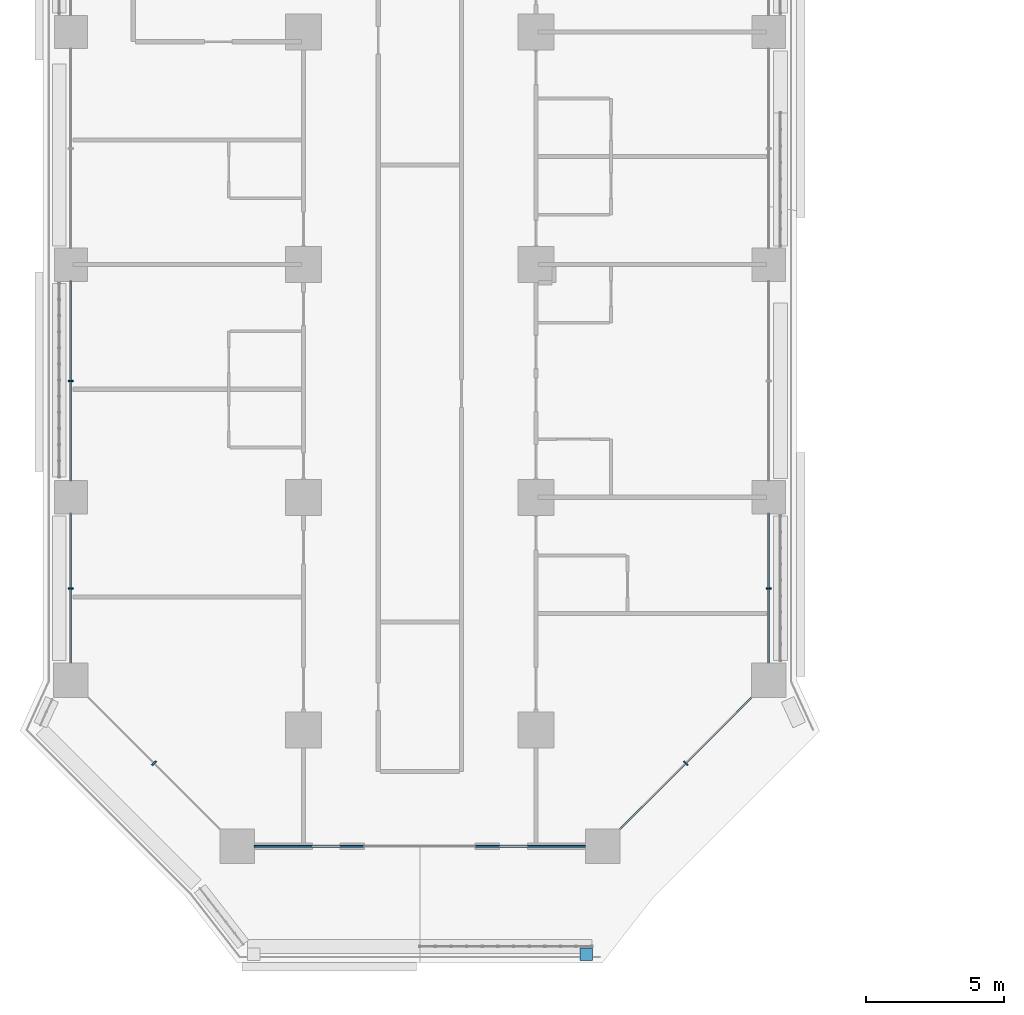
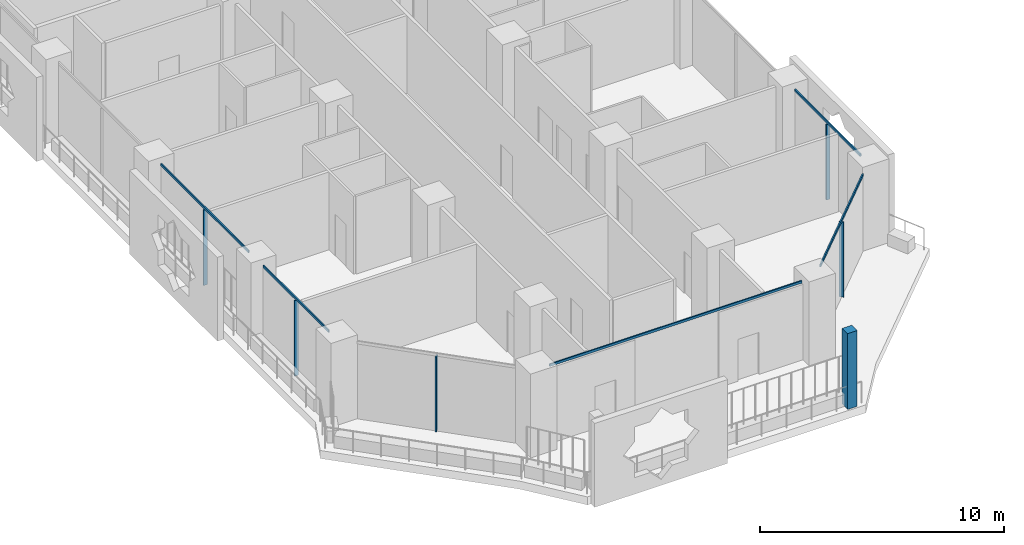
# One storey, part 2 of 27: 11 members, 6 elements without a shape of their own.
"""IFC4 building model written with IfcOpenShell, lengths in metres."""

from ifc_helpers import new_model, si_unit, direction, frame, origin, origin_2d, place, context, subcontext, project, spatial, rectangle, extrude, material, layer, layer_set, material_profile, profile_set, type_object, element, aggregate, save


model = new_model("IFC4")

# Units and contexts
model_context = context("Model", 3, precision=1e-05, world=origin(), true_north=direction((0.0, 1.0)))
body_context = subcontext(model_context, "Body", "Model", "MODEL_VIEW")
ifc_project = project(units=[si_unit("LENGTHUNIT", "METRE"), si_unit("AREAUNIT", "SQUARE_METRE"), si_unit("VOLUMEUNIT", "CUBIC_METRE"), si_unit("PLANEANGLEUNIT", "RADIAN"), si_unit("MASSUNIT", "GRAM", prefix="KILO")], contexts=[model_context])

# Site, building, storey
site_placement = place(None, origin())
site = spatial("IfcSite", under=ifc_project, at=site_placement, CompositionType="ELEMENT")
building_placement = place(site_placement, origin())
building = spatial("IfcBuilding", under=site, at=building_placement, Name="Kawkab Arch Medical Tower", CompositionType="ELEMENT")
storey_placement = place(building_placement, frame((0.0, 0.0, 85.39990234375)))
storey = spatial("IfcBuildingStorey", under=building, at=storey_placement, Name="L19", CompositionType="ELEMENT", Elevation=85.39990234375)

# Curtain wall, members
ifc_material_1 = material(Name="Bronze anodised aluminium curtain wall frame", Category="aluminium")
ifc_layer_1 = layer(ifc_material_1, 0.159912109375)
ifc_layer_set_1 = layer_set([ifc_layer_1], Name="Bronze anodised aluminium curtain wall frame")
curtain_wall_type_1 = type_object("IfcCurtainWallType", Name="CW1 ward curtain wall", PredefinedType="NOTDEFINED", material=ifc_layer_set_1)
placement = place(storey_placement, origin())
curtain_wall_1 = element("IfcCurtainWall", 1, at=placement, inside=storey, type_object=curtain_wall_type_1, Name="CW1 Ward curtain wall R01", PredefinedType="NOTDEFINED")
ifc_material_2 = material(Name="Bronze anodised aluminium curtain wall frame", Category="aluminium")
ifc_material_profile_1 = material_profile(ifc_material_2, rectangle(XDim=0.179931640625, YDim=0.06005859375, at=origin_2d()), Name="AL 60x180")
ifc_profile_set_1 = profile_set([ifc_material_profile_1], Name="Bronze anodised aluminium curtain wall frame")
member_type_1 = type_object("IfcMemberType", Name="CW1 mullion 60 x 180", PredefinedType="MULLION", material=ifc_profile_set_1)
member_1_placement = place(storey_placement, frame((0.0, -54.60009765625, 0.0), z_axis=(0.0, 0.0, 1.0), x_axis=(1.0, 0.0, 0.0)))
member_1 = element("IfcMember", 2, at=member_1_placement, type_object=member_type_1, Name="CW1 mullion 6.1", PredefinedType="MULLION", context=body_context, shape_type="SweptSolid", body=[
    extrude(rectangle(XDim=0.179931640625, YDim=0.06005859375, at=origin_2d()), origin(), (0.0, 0.0, 1.0), 3.780029296875),
])
member_2_placement = place(storey_placement, frame((0.0, -62.08740234375, 0.0), z_axis=(0.0, 0.0, 1.0), x_axis=(1.0, 0.0, 0.0)))
member_2 = element("IfcMember", 3, at=member_2_placement, type_object=member_type_1, Name="CW1 mullion 7.1", PredefinedType="MULLION", context=body_context, shape_type="SweptSolid", body=[
    extrude(rectangle(XDim=0.179931640625, YDim=0.06005859375, at=origin_2d()), origin(), (0.0, 0.0, 1.0), 3.780029296875),
])

# Curtain wall, member
curtain_wall_2 = element("IfcCurtainWall", 4, at=placement, inside=storey, type_object=curtain_wall_type_1, Name="CW1 Ward curtain wall R05", PredefinedType="NOTDEFINED")
member_3_placement = place(storey_placement, frame((25.199951171875, -62.08740234375, 0.0), z_axis=(0.0, 0.0, 1.0), x_axis=(-1.0, 0.0, 0.0)))
member_3 = element("IfcMember", 5, at=member_3_placement, type_object=member_type_1, Name="CW1 mullion 1.1", PredefinedType="MULLION", context=body_context, shape_type="SweptSolid", body=[
    extrude(rectangle(XDim=0.179931640625, YDim=0.06005859375, at=origin_2d()), origin(), (0.0, 0.0, 1.0), 3.780029296875),
])

# Member
ifc_material_3 = material(Name="Bronze anodised aluminium curtain wall frame", Category="aluminium")
ifc_material_profile_2 = material_profile(ifc_material_3, rectangle(XDim=0.06005859375, YDim=0.1201171875, at=origin_2d()), Name="AL 60x120")
ifc_profile_set_2 = profile_set([ifc_material_profile_2], Name="Bronze anodised aluminium curtain wall frame")
member_type_2 = type_object("IfcMemberType", Name="CW1 transom 120 x 60", PredefinedType="USERDEFINED", material=ifc_profile_set_2)
member_4_placement = place(storey_placement, frame((0.0, -51.0, 3.840087890625), z_axis=(0.0, -1.0, 0.0), x_axis=(1.0, 0.0, 0.0)))
member_4 = element("IfcMember", 6, at=member_4_placement, type_object=member_type_2, Name="CW1 transom 6", ObjectType="TRANSOM", PredefinedType="USERDEFINED", context=body_context, shape_type="SweptSolid", body=[
    extrude(rectangle(XDim=0.06005859375, YDim=0.1201171875, at=origin_2d()), origin(), (0.0, 0.0, 1.0), 7.199951171875),
])

member_5_placement = place(storey_placement, frame((0.0, -59.39990234375, 3.840087890625), z_axis=(0.0, -1.0, 0.0), x_axis=(1.0, 0.0, 0.0)))
member_5 = element("IfcMember", 7, at=member_5_placement, type_object=member_type_2, Name="CW1 transom 7", ObjectType="TRANSOM", PredefinedType="USERDEFINED", context=body_context, shape_type="SweptSolid", body=[
    extrude(rectangle(XDim=0.06005859375, YDim=0.1201171875, at=origin_2d()), origin(), (0.0, 0.0, 1.0), 5.375),
])

aggregate(curtain_wall_1, [member_4, member_1, member_5, member_2])

# Curtain wall, member
curtain_wall_3 = element("IfcCurtainWall", 8, at=placement, inside=storey, type_object=curtain_wall_type_1, Name="CW1 Ward curtain wall R03", PredefinedType="NOTDEFINED")
member_6_placement = place(storey_placement, frame((6.625, -71.39990234375, 3.840087890625), z_axis=(1.0, 0.0, 0.0), x_axis=(0.0, 1.0, 0.0)))
member_6 = element("IfcMember", 9, at=member_6_placement, type_object=member_type_2, Name="CW1 transom 1", ObjectType="TRANSOM", PredefinedType="USERDEFINED", context=body_context, shape_type="SweptSolid", body=[
    extrude(rectangle(XDim=0.06005859375, YDim=0.1201171875, at=origin_2d()), origin(), (0.0, 0.0, 1.0), 11.949951171875),
])
aggregate(curtain_wall_3, [member_6])

# Member
member_7_placement = place(storey_placement, frame((25.199951171875, -64.77490234375, 3.840087890625), z_axis=(0.0, 1.0, 0.0), x_axis=(-1.0, 0.0, 0.0)))
member_7 = element("IfcMember", 10, at=member_7_placement, type_object=member_type_2, Name="CW1 transom 1", ObjectType="TRANSOM", PredefinedType="USERDEFINED", context=body_context, shape_type="SweptSolid", body=[
    extrude(rectangle(XDim=0.06005859375, YDim=0.1201171875, at=origin_2d()), origin(), (0.0, 0.0, 1.0), 5.375),
])

aggregate(curtain_wall_2, [member_7, member_3])

# Curtain wall, member
ifc_material_4 = material(Name="Bronze anodised aluminium curtain wall frame", Category="aluminium")
ifc_layer_2 = layer(ifc_material_4, 0.159912109375)
ifc_layer_set_2 = layer_set([ifc_layer_2], Name="Bronze anodised aluminium curtain wall frame")
curtain_wall_type_2 = type_object("IfcCurtainWallType", Name="CW2 chamfer curtain wall", PredefinedType="NOTDEFINED", material=ifc_layer_set_2)
curtain_wall_4 = element("IfcCurtainWall", 11, at=placement, inside=storey, type_object=curtain_wall_type_2, Name="CW2 Chamfer curtain wall R02", PredefinedType="NOTDEFINED")
ifc_material_5 = material(Name="Bronze anodised aluminium curtain wall frame", Category="aluminium")
ifc_material_profile_3 = material_profile(ifc_material_5, rectangle(XDim=0.199951171875, YDim=0.06005859375, at=origin_2d()), Name="AL 60x200")
ifc_profile_set_3 = profile_set([ifc_material_profile_3], Name="Bronze anodised aluminium curtain wall frame")
member_type_3 = type_object("IfcMemberType", Name="CW2 mullion 60 x 200", PredefinedType="MULLION", material=ifc_profile_set_3)
member_8_placement = place(storey_placement, frame((3.0, -68.39990234375, 0.0), z_axis=(0.0, 0.0, 1.0), x_axis=(0.707106781187, 0.707106781187, 0.0)))
member_8 = element("IfcMember", 12, at=member_8_placement, type_object=member_type_3, Name="CW2 mullion 1.1", PredefinedType="MULLION", context=body_context, shape_type="SweptSolid", body=[
    extrude(rectangle(XDim=0.199951171875, YDim=0.06005859375, at=origin_2d()), origin(), (0.0, 0.0, 1.0), 3.760009765625),
])
aggregate(curtain_wall_4, [member_8])

# Curtain wall, members
curtain_wall_5 = element("IfcCurtainWall", 13, at=placement, inside=storey, type_object=curtain_wall_type_2, Name="CW2 Chamfer curtain wall R04", PredefinedType="NOTDEFINED")
member_9_placement = place(storey_placement, frame((22.199951171875, -68.39990234375, 0.0), z_axis=(0.0, 0.0, 1.0), x_axis=(-0.707106781187, 0.707106781187, 0.0)))
member_9 = element("IfcMember", 14, at=member_9_placement, type_object=member_type_3, Name="CW2 mullion 1.1", PredefinedType="MULLION", context=body_context, shape_type="SweptSolid", body=[
    extrude(rectangle(XDim=0.199951171875, YDim=0.06005859375, at=origin_2d()), origin(), (0.0, 0.0, 1.0), 3.760009765625),
])
ifc_material_6 = material(Name="Bronze anodised aluminium curtain wall frame", Category="aluminium")
ifc_material_profile_4 = material_profile(ifc_material_6, rectangle(XDim=0.06005859375, YDim=0.139892578125, at=origin_2d()), Name="AL 60x140")
ifc_profile_set_4 = profile_set([ifc_material_profile_4], Name="Bronze anodised aluminium curtain wall frame")
member_type_4 = type_object("IfcMemberType", Name="CW2 transom 140 x 60", PredefinedType="USERDEFINED", material=ifc_profile_set_4)
member_10_placement = place(storey_placement, frame((19.824951171875, -70.77490234375, 3.830078125), z_axis=(0.707106781187, 0.707106781187, 0.0), x_axis=(-0.707106781187, 0.707106781187, 0.0)))
member_10 = element("IfcMember", 15, at=member_10_placement, type_object=member_type_4, Name="CW2 transom 1", ObjectType="TRANSOM", PredefinedType="USERDEFINED", context=body_context, shape_type="SweptSolid", body=[
    extrude(rectangle(XDim=0.06005859375, YDim=0.139892578125, at=origin_2d()), origin(), (0.0, 0.0, 1.0), 6.717529296875),
])
aggregate(curtain_wall_5, [member_10, member_9])

# Curtain wall, member
ifc_material_7 = material(Name="Bronze anodised aluminium climber frame, planted", Category="aluminium")
ifc_layer_3 = layer(ifc_material_7, 0.449951171875)
ifc_layer_set_3 = layer_set([ifc_layer_3], Name="Bronze anodised aluminium climber frame, planted")
curtain_wall_type_3 = type_object("IfcCurtainWallType", Name="Planted climber frame", PredefinedType="NOTDEFINED", material=ifc_layer_set_3)
curtain_wall_6 = element("IfcCurtainWall", 16, at=placement, inside=storey, type_object=curtain_wall_type_3, Name="Planted climber frame L19", PredefinedType="NOTDEFINED")
ifc_material_8 = material(Name="Bronze anodised aluminium climber frame, planted", Category="aluminium")
ifc_material_profile_5 = material_profile(ifc_material_8, rectangle(XDim=0.449951171875, YDim=0.449951171875, at=origin_2d()), Name="Post 450x450")
ifc_profile_set_5 = profile_set([ifc_material_profile_5], Name="Bronze anodised aluminium climber frame, planted")
member_type_5 = type_object("IfcMemberType", Name="Planted climber post 450 x 450", PredefinedType="MULLION", material=ifc_profile_set_5)
member_11_placement = place(storey_placement, frame((18.60302734375, -75.300048828125, 0.0), z_axis=(0.0, 0.0, 1.0), x_axis=(1.0, 0.0, 0.0)))
member_11 = element("IfcMember", 17, at=member_11_placement, type_object=member_type_5, Name="Planted climber post L19.LOG-01-01.1", PredefinedType="MULLION", context=body_context, shape_type="SweptSolid", body=[
    extrude(rectangle(XDim=0.449951171875, YDim=0.449951171875, at=origin_2d()), origin(), (0.0, 0.0, 1.0), 3.800048828125),
])
aggregate(curtain_wall_6, [member_11])

save(model, "model.ifc")
